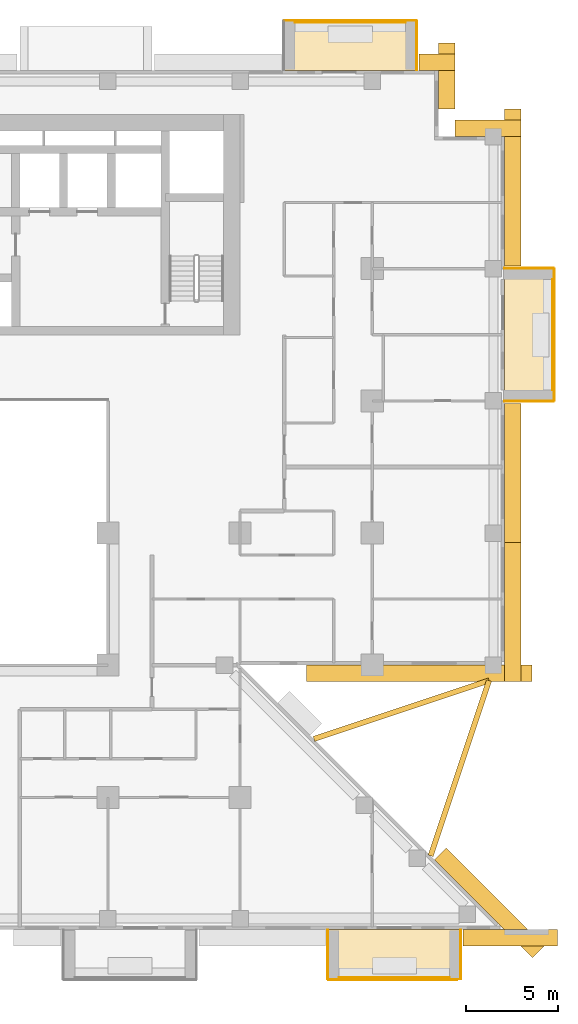
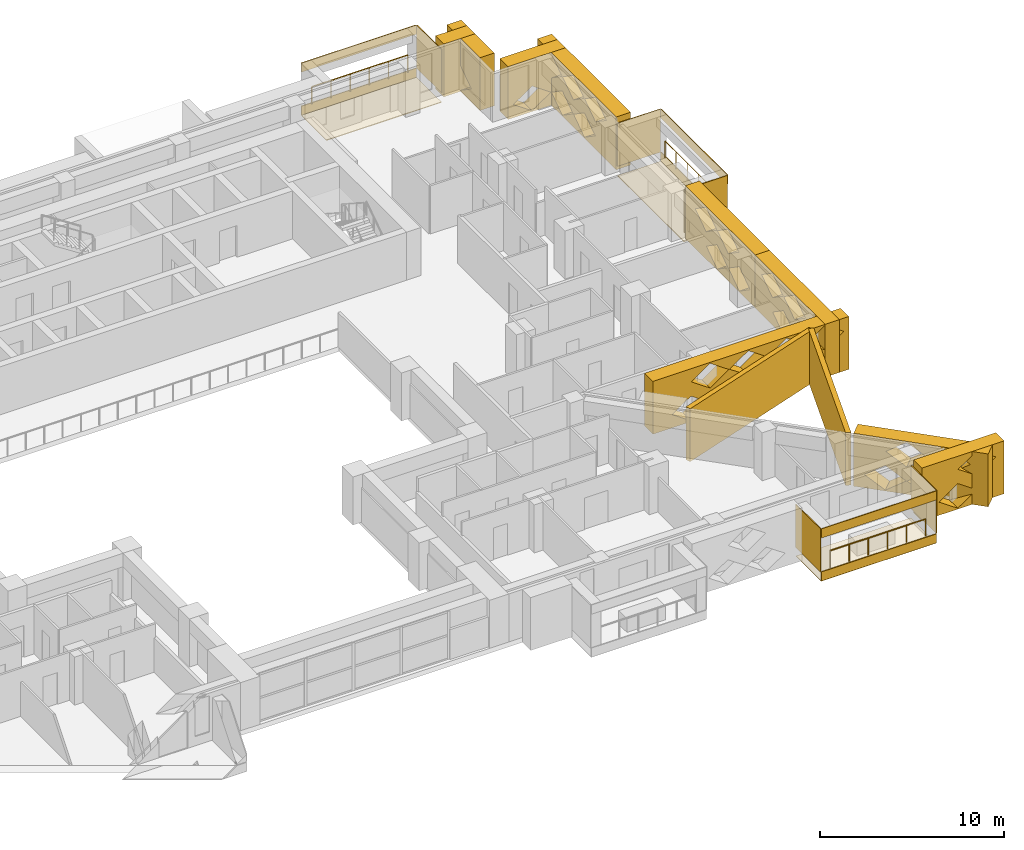
# One storey, part 17 of 17: 25 coverings, 3 railings.
"""IFC4 building model written with IfcOpenShell, lengths in metres."""

from ifc_helpers import new_model, si_unit, direction, frame, origin, origin_2d, place, context, subcontext, project, spatial, polyline, circle, outline, extrude, material, layer, layer_set, type_object, element, save


model = new_model("IFC4")

# Units and contexts
model_context = context("Model", 3, precision=1e-05, world=origin(), true_north=direction((0.0, 1.0)))
body_context = subcontext(model_context, "Body", "Model", "MODEL_VIEW")
ifc_project = project(units=[si_unit("LENGTHUNIT", "METRE"), si_unit("AREAUNIT", "SQUARE_METRE"), si_unit("VOLUMEUNIT", "CUBIC_METRE"), si_unit("PLANEANGLEUNIT", "RADIAN"), si_unit("MASSUNIT", "GRAM", prefix="KILO")], contexts=[model_context])

# Site, building, storey
site_placement = place(None, origin())
site = spatial("IfcSite", under=ifc_project, at=site_placement, CompositionType="ELEMENT")
building_placement = place(site_placement, origin())
building = spatial("IfcBuilding", under=site, at=building_placement, Name="Saffron Iwan Residences", CompositionType="ELEMENT")
storey_placement = place(building_placement, frame((0.0, 0.0, 97.0)))
storey = spatial("IfcBuildingStorey", under=building, at=storey_placement, Name="L25", CompositionType="ELEMENT", Elevation=97.0)

# Railings
ifc_material_1 = material(Name="Stainless steel 316", Category="steel")
railing_type = type_object("IfcRailingType", Name="BALCONY GUARD 1150", PredefinedType="GUARDRAIL", material=ifc_material_1)
railing_1_placement = place(storey_placement, frame((89.02490234375, 63.0, 0.0)))
element("IfcRailing", 1, at=railing_1_placement, inside=storey, type_object=railing_type, Name="Balcony guard L25 F2-0", PredefinedType="GUARDRAIL", context=body_context, shape_type="SweptSolid", body=[
    extrude(circle(Radius=0.02392578125, at=origin_2d()), frame((0.0, 0.0, 1.1259765625), z_axis=(0.0, 1.0, 0.0), x_axis=(-1.0, 0.0, 0.0)), (0.0, 0.0, 1.0), 6.0),
    extrude(circle(Radius=0.02099609375, at=origin_2d()), origin(), (0.0, 0.0, 1.0), 1.101806640625),
    extrude(circle(Radius=0.02099609375, at=origin_2d()), frame((0.0, 1.199951171875, 0.0)), (0.0, 0.0, 1.0), 1.101806640625),
    extrude(circle(Radius=0.02099609375, at=origin_2d()), frame((0.0, 2.39990234375, 0.0)), (0.0, 0.0, 1.0), 1.101806640625),
    extrude(circle(Radius=0.02099609375, at=origin_2d()), frame((0.0, 3.60009765625, 0.0)), (0.0, 0.0, 1.0), 1.101806640625),
    extrude(circle(Radius=0.02099609375, at=origin_2d()), frame((0.0, 4.800048828125, 0.0)), (0.0, 0.0, 1.0), 1.101806640625),
    extrude(circle(Radius=0.02099609375, at=origin_2d()), frame((0.0, 6.0, 0.0)), (0.0, 0.0, 1.0), 1.101806640625),
])
railing_2_placement = place(storey_placement, frame((81.0, 83.02490234375, 0.0)))
element("IfcRailing", 2, at=railing_2_placement, inside=storey, type_object=railing_type, Name="Balcony guard L25 F5-0", PredefinedType="GUARDRAIL", context=body_context, shape_type="SweptSolid", body=[
    extrude(circle(Radius=0.02392578125, at=origin_2d()), frame((0.0, 0.0, 1.1259765625), z_axis=(-1.0, 0.0, 0.0), x_axis=(0.0, -1.0, 0.0)), (0.0, 0.0, 1.0), 6.0),
    extrude(circle(Radius=0.02099609375, at=origin_2d()), origin(), (0.0, 0.0, 1.0), 1.101806640625),
    extrude(circle(Radius=0.02099609375, at=origin_2d()), frame((-1.199951171875, 0.0, 0.0)), (0.0, 0.0, 1.0), 1.101806640625),
    extrude(circle(Radius=0.02099609375, at=origin_2d()), frame((-2.39990234375, 0.0, 0.0)), (0.0, 0.0, 1.0), 1.101806640625),
    extrude(circle(Radius=0.02099609375, at=origin_2d()), frame((-3.60009765625, 0.0, 0.0)), (0.0, 0.0, 1.0), 1.101806640625),
    extrude(circle(Radius=0.02099609375, at=origin_2d()), frame((-4.800048828125, 0.0, 0.0)), (0.0, 0.0, 1.0), 1.101806640625),
    extrude(circle(Radius=0.02099609375, at=origin_2d()), frame((-6.0, 0.0, 0.0)), (0.0, 0.0, 1.0), 1.101806640625),
])
railing_3_placement = place(storey_placement, frame((77.39990234375, 30.97509765625, 0.0)))
element("IfcRailing", 3, at=railing_3_placement, inside=storey, type_object=railing_type, Name="Balcony guard L25 11-3", PredefinedType="GUARDRAIL", context=body_context, shape_type="SweptSolid", body=[
    extrude(circle(Radius=0.02392578125, at=origin_2d()), frame((0.0, 0.0, 1.1259765625), z_axis=(1.0, 0.0, 0.0), x_axis=(0.0, 1.0, 0.0)), (0.0, 0.0, 1.0), 6.0),
    extrude(circle(Radius=0.02099609375, at=origin_2d()), origin(), (0.0, 0.0, 1.0), 1.101806640625),
    extrude(circle(Radius=0.02099609375, at=origin_2d()), frame((1.199951171875, 0.0, 0.0)), (0.0, 0.0, 1.0), 1.101806640625),
    extrude(circle(Radius=0.02099609375, at=origin_2d()), frame((2.39990234375, 0.0, 0.0)), (0.0, 0.0, 1.0), 1.101806640625),
    extrude(circle(Radius=0.02099609375, at=origin_2d()), frame((3.60009765625, 0.0, 0.0)), (0.0, 0.0, 1.0), 1.101806640625),
    extrude(circle(Radius=0.02099609375, at=origin_2d()), frame((4.800048828125, 0.0, 0.0)), (0.0, 0.0, 1.0), 1.101806640625),
    extrude(circle(Radius=0.02099609375, at=origin_2d()), frame((6.0, 0.0, 0.0)), (0.0, 0.0, 1.0), 1.101806640625),
])

# Coverings
ifc_material_2 = material(Name="Precast concrete C40/50 white painted", Category="concrete")
ifc_layer_1 = layer(ifc_material_2, 0.050048828125)
ifc_layer_set_1 = layer_set([ifc_layer_1], Name="Precast concrete C40/50 white painted")
covering_type_1 = type_object("IfcCoveringType", Name="FRAME SKIN PRECAST WHITE 50", PredefinedType="CLADDING", material=ifc_layer_set_1)
for number, where, name in (
    (4, (0.0, 0.0, -0.60009765625), "Frame skin slab edge L25 F2-0"),
    (5, (0.0, 0.0, 2.25), "Frame skin fascia L25 F2-0"),
):
    element("IfcCovering", number, at=place(storey_placement, frame(where)), inside=storey, type_object=covering_type_1, Name=name, PredefinedType="CLADDING", context=body_context, shape_type="SweptSolid", body=[
        extrude(outline(polyline([(89.14990234375, 62.39990234375), (89.14990234375, 69.60009765625), (89.10009765625, 69.60009765625), (89.10009765625, 62.39990234375), (89.14990234375, 62.39990234375)])), origin(), (0.0, 0.0, 1.0), 0.60009765625),
    ])
covering_1_placement = place(storey_placement, frame((0.0, 0.0, -0.64990234375)))
element("IfcCovering", 6, at=covering_1_placement, inside=storey, type_object=covering_type_1, Name="Frame skin soffit L25 F2-0", PredefinedType="CLADDING", context=body_context, shape_type="SweptSolid", body=[
    extrude(outline(polyline([(89.10009765625, 62.39990234375), (89.10009765625, 69.60009765625), (86.39990234375, 69.60009765625), (86.39990234375, 62.39990234375), (89.10009765625, 62.39990234375)])), origin(), (0.0, 0.0, 1.0), 0.0498046875),
])
covering_2_placement = place(storey_placement, origin())
element("IfcCovering", 7, at=covering_2_placement, inside=storey, type_object=covering_type_1, Name="Frame skin fin L25 F2-0a", PredefinedType="CLADDING", context=body_context, shape_type="SweptSolid", body=[
    extrude(outline(polyline([(89.10009765625, 62.35009765625), (89.10009765625, 62.39990234375), (86.39990234375, 62.39990234375), (86.39990234375, 62.35009765625), (89.10009765625, 62.35009765625)])), origin(), (0.0, 0.0, 1.0), 2.85009765625),
])
covering_3_placement = place(storey_placement, origin())
element("IfcCovering", 8, at=covering_3_placement, inside=storey, type_object=covering_type_1, Name="Frame skin fin L25 F2-0b", PredefinedType="CLADDING", context=body_context, shape_type="SweptSolid", body=[
    extrude(outline(polyline([(89.10009765625, 69.60009765625), (89.10009765625, 69.64990234375), (86.39990234375, 69.64990234375), (86.39990234375, 69.60009765625), (89.10009765625, 69.60009765625)])), origin(), (0.0, 0.0, 1.0), 2.85009765625),
])
for number, where, name in (
    (9, (0.0, 0.0, -0.60009765625), "Frame skin slab edge L25 F5-0"),
    (10, (0.0, 0.0, 2.25), "Frame skin fascia L25 F5-0"),
):
    element("IfcCovering", number, at=place(storey_placement, frame(where)), inside=storey, type_object=covering_type_1, Name=name, PredefinedType="CLADDING", context=body_context, shape_type="SweptSolid", body=[
        extrude(outline(polyline([(81.60009765625, 83.14990234375), (74.39990234375, 83.14990234375), (74.39990234375, 83.10009765625), (81.60009765625, 83.10009765625), (81.60009765625, 83.14990234375)])), origin(), (0.0, 0.0, 1.0), 0.60009765625),
    ])
covering_4_placement = place(storey_placement, frame((0.0, 0.0, -0.64990234375)))
element("IfcCovering", 11, at=covering_4_placement, inside=storey, type_object=covering_type_1, Name="Frame skin soffit L25 F5-0", PredefinedType="CLADDING", context=body_context, shape_type="SweptSolid", body=[
    extrude(outline(polyline([(81.60009765625, 83.10009765625), (74.39990234375, 83.10009765625), (74.39990234375, 80.39990234375), (81.60009765625, 80.39990234375), (81.60009765625, 83.10009765625)])), origin(), (0.0, 0.0, 1.0), 0.0498046875),
])
covering_5_placement = place(storey_placement, origin())
element("IfcCovering", 12, at=covering_5_placement, inside=storey, type_object=covering_type_1, Name="Frame skin fin L25 F5-0a", PredefinedType="CLADDING", context=body_context, shape_type="SweptSolid", body=[
    extrude(outline(polyline([(81.64990234375, 83.10009765625), (81.60009765625, 83.10009765625), (81.60009765625, 80.39990234375), (81.64990234375, 80.39990234375), (81.64990234375, 83.10009765625)])), origin(), (0.0, 0.0, 1.0), 2.85009765625),
])
for number, where, name in (
    (13, (0.0, 0.0, -0.60009765625), "Frame skin slab edge L25 11-3"),
    (14, (0.0, 0.0, 2.25), "Frame skin fascia L25 11-3"),
):
    element("IfcCovering", number, at=place(storey_placement, frame(where)), inside=storey, type_object=covering_type_1, Name=name, PredefinedType="CLADDING", context=body_context, shape_type="SweptSolid", body=[
        extrude(outline(polyline([(76.800048828125, 30.85009765625), (84.0, 30.85009765625), (84.0, 30.89990234375), (76.800048828125, 30.89990234375), (76.800048828125, 30.85009765625)])), origin(), (0.0, 0.0, 1.0), 0.60009765625),
    ])
covering_6_placement = place(storey_placement, frame((0.0, 0.0, -0.64990234375)))
element("IfcCovering", 15, at=covering_6_placement, inside=storey, type_object=covering_type_1, Name="Frame skin soffit L25 11-3", PredefinedType="CLADDING", context=body_context, shape_type="SweptSolid", body=[
    extrude(outline(polyline([(76.800048828125, 30.89990234375), (84.0, 30.89990234375), (84.0, 33.60009765625), (76.800048828125, 33.60009765625), (76.800048828125, 30.89990234375)])), origin(), (0.0, 0.0, 1.0), 0.0498046875),
])
covering_7_placement = place(storey_placement, origin())
element("IfcCovering", 16, at=covering_7_placement, inside=storey, type_object=covering_type_1, Name="Frame skin fin L25 11-3a", PredefinedType="CLADDING", context=body_context, shape_type="SweptSolid", body=[
    extrude(outline(polyline([(76.75, 30.89990234375), (76.800048828125, 30.89990234375), (76.800048828125, 33.60009765625), (76.75, 33.60009765625), (76.75, 30.89990234375)])), origin(), (0.0, 0.0, 1.0), 2.85009765625),
])
covering_8_placement = place(storey_placement, origin())
element("IfcCovering", 17, at=covering_8_placement, inside=storey, type_object=covering_type_1, Name="Frame skin fin L25 11-3b", PredefinedType="CLADDING", context=body_context, shape_type="SweptSolid", body=[
    extrude(outline(polyline([(84.0, 30.89990234375), (84.050048828125, 30.89990234375), (84.050048828125, 33.60009765625), (84.0, 33.60009765625), (84.0, 30.89990234375)])), origin(), (0.0, 0.0, 1.0), 2.85009765625),
])
ifc_material_3 = material(Name="Precast concrete C40/50", Category="concrete")
covering_type_2 = type_object("IfcCoveringType", Name="OUTER SKIN LATTICE SCREEN", PredefinedType="CLADDING", material=ifc_material_3)
covering_9_placement = place(storey_placement, frame((87.939453125, 32.060546875, -0.320068359375), z_axis=(0.706971125213, 0.70724241114, 0.0), x_axis=(-0.70724241114, 0.706971125213, 0.0)))
element("IfcCovering", 18, at=covering_9_placement, inside=storey, type_object=covering_type_2, Name="OUTER SKIN lattice screen L25 F0.0", PredefinedType="CLADDING", context=body_context, shape_type="SweptSolid", body=[
    extrude(outline(polyline([(0.0, 0.0), (7.559326171875, 0.0), (7.559326171875, 3.5), (0.0, 3.5), (0.0, 0.0)]), holes=[polyline([(2.197021484375, 0.875), (3.377197265625, 0.06005859375), (4.55712890625, 0.875), (3.377197265625, 1.68994140625), (2.197021484375, 0.875)]), polyline([(4.59716796875, 0.875), (5.777099609375, 0.06005859375), (6.95703125, 0.875), (5.777099609375, 1.68994140625), (4.59716796875, 0.875)]), polyline([(0.9970703125, 2.625), (2.177001953125, 1.81005859375), (3.357177734375, 2.625), (2.177001953125, 3.43994140625), (0.9970703125, 2.625)]), polyline([(3.397216796875, 2.625), (4.5771484375, 1.81005859375), (5.757080078125, 2.625), (4.5771484375, 3.43994140625), (3.397216796875, 2.625)])]), origin(), (0.0, 0.0, 1.0), 0.89990234375),
])
covering_10_placement = place(storey_placement, frame((75.6171875, 48.0, -0.320068359375), z_axis=(0.0, -1.0, 0.0), x_axis=(1.0, 0.0, 0.0)))
element("IfcCovering", 19, at=covering_10_placement, inside=storey, type_object=covering_type_2, Name="OUTER SKIN lattice screen L25 F1.0", PredefinedType="CLADDING", context=body_context, shape_type="SweptSolid", body=[
    extrude(outline(polyline([(0.0, 0.0), (12.282958984375, 0.0), (12.282958984375, 3.5), (0.0, 3.5), (0.0, 0.0)]), holes=[polyline([(1.202880859375, 0.875), (2.3828125, 0.06005859375), (3.56298828125, 0.875), (2.3828125, 1.68994140625), (1.202880859375, 0.875)]), polyline([(3.602783203125, 0.875), (4.782958984375, 0.06005859375), (5.962890625, 0.875), (4.782958984375, 1.68994140625), (3.602783203125, 0.875)]), polyline([(6.0029296875, 0.875), (7.182861328125, 0.06005859375), (8.36279296875, 0.875), (7.182861328125, 1.68994140625), (6.0029296875, 0.875)]), polyline([(8.40283203125, 0.875), (9.5830078125, 0.06005859375), (10.762939453125, 0.875), (9.5830078125, 1.68994140625), (8.40283203125, 0.875)]), polyline([(2.40283203125, 2.625), (3.5830078125, 1.81005859375), (4.762939453125, 2.625), (3.5830078125, 3.43994140625), (2.40283203125, 2.625)]), polyline([(4.802978515625, 2.625), (5.98291015625, 1.81005859375), (7.162841796875, 2.625), (5.98291015625, 3.43994140625), (4.802978515625, 2.625)]), polyline([(7.202880859375, 2.625), (8.3828125, 1.81005859375), (9.56298828125, 2.625), (8.3828125, 3.43994140625), (7.202880859375, 2.625)]), polyline([(9.602783203125, 2.625), (10.782958984375, 1.81005859375), (11.962890625, 2.625), (10.782958984375, 3.43994140625), (9.602783203125, 2.625)])]), origin(), (0.0, 0.0, 1.0), 0.89990234375),
])
covering_11_placement = place(storey_placement, frame((86.39990234375, 47.10009765625, -0.320068359375), z_axis=(1.0, 0.0, 0.0), x_axis=(0.0, 1.0, 0.0)))
element("IfcCovering", 20, at=covering_11_placement, inside=storey, type_object=covering_type_2, Name="OUTER SKIN lattice screen L25 F2.0", PredefinedType="CLADDING", context=body_context, shape_type="SweptSolid", body=[
    extrude(outline(polyline([(0.0, 0.0), (7.574951171875, 0.0), (7.574951171875, 3.5), (0.0, 3.5), (0.0, 0.0)]), holes=[polyline([(0.919921875, 0.875), (2.10009765625, 0.06005859375), (3.280029296875, 0.875), (2.10009765625, 1.68994140625), (0.919921875, 0.875)]), polyline([(3.320068359375, 0.875), (4.5, 0.06005859375), (5.679931640625, 0.875), (4.5, 1.68994140625), (3.320068359375, 0.875)]), polyline([(2.1201171875, 2.625), (3.300048828125, 1.81005859375), (4.47998046875, 2.625), (3.300048828125, 3.43994140625), (2.1201171875, 2.625)]), polyline([(4.52001953125, 2.625), (5.699951171875, 1.81005859375), (6.8798828125, 2.625), (5.699951171875, 3.43994140625), (4.52001953125, 2.625)])]), origin(), (0.0, 0.0, 1.0), 0.900146484375),
])
covering_12_placement = place(storey_placement, frame((86.39990234375, 54.675048828125, -0.320068359375), z_axis=(1.0, 0.0, 0.0), x_axis=(0.0, 1.0, 0.0)))
element("IfcCovering", 21, at=covering_12_placement, inside=storey, type_object=covering_type_2, Name="OUTER SKIN lattice screen L25 F2.1", PredefinedType="CLADDING", context=body_context, shape_type="SweptSolid", body=[
    extrude(outline(polyline([(0.0, 0.0), (7.574951171875, 0.0), (7.574951171875, 3.5), (0.0, 3.5), (0.0, 0.0)]), holes=[polyline([(0.544921875, 0.875), (1.72509765625, 0.06005859375), (2.905029296875, 0.875), (1.72509765625, 1.68994140625), (0.544921875, 0.875)]), polyline([(2.945068359375, 0.875), (4.125, 0.06005859375), (5.304931640625, 0.875), (4.125, 1.68994140625), (2.945068359375, 0.875)]), polyline([(1.7451171875, 2.625), (2.925048828125, 1.81005859375), (4.10498046875, 2.625), (2.925048828125, 3.43994140625), (1.7451171875, 2.625)]), polyline([(4.14501953125, 2.625), (5.324951171875, 1.81005859375), (6.5048828125, 2.625), (5.324951171875, 3.43994140625), (4.14501953125, 2.625)])]), origin(), (0.0, 0.0, 1.0), 0.900146484375),
])
covering_13_placement = place(storey_placement, frame((86.39990234375, 69.75, -0.320068359375), z_axis=(1.0, 0.0, 0.0), x_axis=(0.0, 1.0, 0.0)))
element("IfcCovering", 22, at=covering_13_placement, inside=storey, type_object=covering_type_2, Name="OUTER SKIN lattice screen L25 F2.2", PredefinedType="CLADDING", context=body_context, shape_type="SweptSolid", body=[
    extrude(outline(polyline([(0.0, 0.0), (8.550048828125, 0.0), (8.550048828125, 3.5), (0.0, 3.5), (0.0, 0.0)]), holes=[polyline([(2.27001953125, 0.875), (3.449951171875, 0.06005859375), (4.6298828125, 0.875), (3.449951171875, 1.68994140625), (2.27001953125, 0.875)]), polyline([(4.669921875, 0.875), (5.85009765625, 0.06005859375), (7.030029296875, 0.875), (5.85009765625, 1.68994140625), (4.669921875, 0.875)]), polyline([(1.070068359375, 2.625), (2.25, 1.81005859375), (3.429931640625, 2.625), (2.25, 3.43994140625), (1.070068359375, 2.625)]), polyline([(3.469970703125, 2.625), (4.64990234375, 1.81005859375), (5.830078125, 2.625), (4.64990234375, 3.43994140625), (3.469970703125, 2.625)]), polyline([(5.8701171875, 2.625), (7.050048828125, 1.81005859375), (8.22998046875, 2.625), (7.050048828125, 3.43994140625), (5.8701171875, 2.625)])]), origin(), (0.0, 0.0, 1.0), 0.900146484375),
])
for number, where, z_axis, x_axis, name in (
    (23, (87.300048828125, 76.800048828125, -0.320068359375), (0.0, 1.0, 0.0), (-1.0, 0.0, 0.0), "OUTER SKIN lattice screen L25 F3.0"),
    (24, (82.800048828125, 78.300048828125, -0.320068359375), (1.0, 0.0, 0.0), (0.0, 1.0, 0.0), "OUTER SKIN lattice screen L25 F4.0"),
):
    element("IfcCovering", number, at=place(storey_placement, frame(where, z_axis=z_axis, x_axis=x_axis)), inside=storey, type_object=covering_type_2, Name=name, PredefinedType="CLADDING", context=body_context, shape_type="SweptSolid", body=[
        extrude(outline(polyline([(0.0, 0.0), (3.60009765625, 0.0), (3.60009765625, 3.5), (0.0, 3.5), (0.0, 0.0)]), holes=[polyline([(0.919921875, 0.875), (2.10009765625, 0.06005859375), (3.280029296875, 0.875), (2.10009765625, 1.68994140625), (0.919921875, 0.875)])]), origin(), (0.0, 0.0, 1.0), 0.89990234375),
    ])
covering_14_placement = place(storey_placement, frame((83.699951171875, 80.39990234375, -0.320068359375), z_axis=(0.0, 1.0, 0.0), x_axis=(-1.0, 0.0, 0.0)))
element("IfcCovering", 25, at=covering_14_placement, inside=storey, type_object=covering_type_2, Name="OUTER SKIN lattice screen L25 F5.0", PredefinedType="CLADDING", context=body_context, shape_type="SweptSolid", body=[
    extrude(outline(polyline([(0.0, 0.0), (1.949951171875, 0.0), (1.949951171875, 3.5), (0.0, 3.5), (0.0, 0.0)])), origin(), (0.0, 0.0, 1.0), 0.900146484375),
])
covering_15_placement = place(storey_placement, frame((84.14990234375, 33.60009765625, -0.320068359375), z_axis=(0.0, -1.0, 0.0), x_axis=(1.0, 0.0, 0.0)))
element("IfcCovering", 26, at=covering_15_placement, inside=storey, type_object=covering_type_2, Name="OUTER SKIN lattice screen L25 F11.4", PredefinedType="CLADDING", context=body_context, shape_type="SweptSolid", body=[
    extrude(outline(polyline([(0.0, 0.0), (5.147216796875, 0.0), (5.147216796875, 3.5), (0.0, 3.5), (0.0, 0.0)]), holes=[polyline([(1.070068359375, 0.875), (2.25, 0.06005859375), (3.429931640625, 0.875), (2.25, 1.68994140625), (1.070068359375, 0.875)]), polyline([(2.27001953125, 2.625), (3.449951171875, 1.81005859375), (4.6298828125, 2.625), (3.449951171875, 3.43994140625), (2.27001953125, 2.625)])]), origin(), (0.0, 0.0, 1.0), 0.900146484375),
])
ifc_layer_2 = layer(ifc_material_2, 0.300048828125)
ifc_layer_set_2 = layer_set([ifc_layer_2], Name="Precast concrete C40/50 white painted")
covering_type_3 = type_object("IfcCoveringType", Name="PROW NOSE BLADE PRECAST WHITE", PredefinedType="CLADDING", material=ifc_layer_set_2)
covering_16_placement = place(storey_placement, frame((0.0, 0.0, -0.320068359375)))
element("IfcCovering", 27, at=covering_16_placement, inside=storey, type_object=covering_type_3, Name="Prow nose blade L25 a", PredefinedType="CLADDING", context=body_context, shape_type="SweptSolid", body=[
    extrude(outline(polyline([(82.5244140625, 37.570556640625), (85.706298828125, 47.116455078125), (85.421630859375, 47.21142578125), (82.23974609375, 37.66552734375), (82.5244140625, 37.570556640625)])), origin(), (0.0, 0.0, 1.0), 3.5),
])
covering_17_placement = place(storey_placement, frame((0.0, 0.0, -0.320068359375)))
element("IfcCovering", 28, at=covering_17_placement, inside=storey, type_object=covering_type_3, Name="Prow nose blade L25 b", PredefinedType="CLADDING", context=body_context, shape_type="SweptSolid", body=[
    extrude(outline(polyline([(76.0654296875, 43.839599609375), (85.611328125, 47.021728515625), (85.5166015625, 47.306396484375), (75.970703125, 44.124267578125), (76.0654296875, 43.839599609375)])), origin(), (0.0, 0.0, 1.0), 3.5),
])

save(model, "model.ifc")
